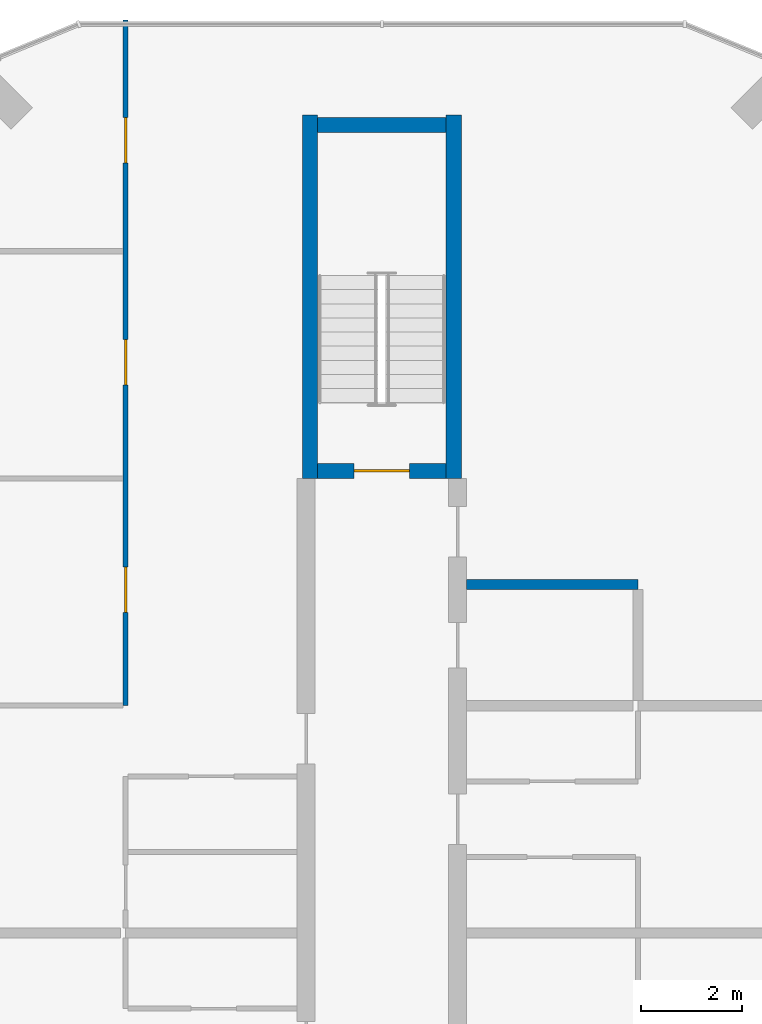
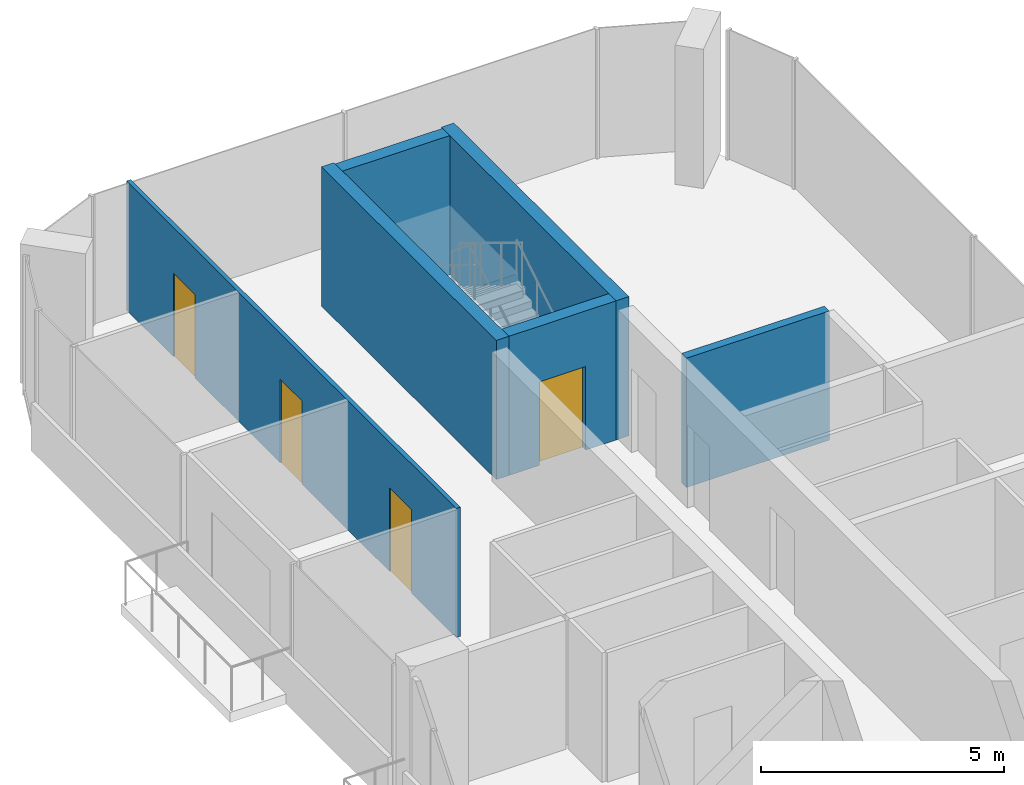
# One storey, part 17 of 23: 6 walls, 4 doors, 4 openings.
"""IFC4 building model written with IfcOpenShell, lengths in metres."""

import ifcopenshell
import ifcopenshell.guid

model = None  # the IFC model being written
_history = None  # IfcOwnerHistory: only IFC2X3 demands one
_inside = {}  # id of a spatial element -> (the spatial element, [elements in it])
_under = {}  # id of a project, library or spatial element -> (it, [spatial elements below it])
_declared = {}  # id of a project -> (the project, [libraries it declares])
_typed = {}  # id of a type object -> (the type object, [elements of that type])
_made_of = {}  # id of a material, layer set ... -> (it, [elements and type objects made of it])


def new_model(schema):
    """Start an empty IFC model of exactly this schema.

    Asked for "IFC4X3", IfcOpenShell would pick the latest addendum, in which some entities
    have other attributes; the version numbers below select the first issue.
    IFC2X3 requires an IfcOwnerHistory on every rooted entity: one is made here for all.
    """
    global model, _history
    if schema == "IFC4X3":
        model = ifcopenshell.file(schema_version=(4, 3, 0, 0))
    else:
        model = ifcopenshell.file(schema=schema)
    _inside.clear()
    _under.clear()
    _declared.clear()
    _typed.clear()
    _made_of.clear()
    _history = None
    if model.schema == "IFC2X3":
        org = make("IfcOrganization", Name="unknown")
        user = make(
            "IfcPersonAndOrganization",
            ThePerson=make("IfcPerson", FamilyName="unknown"),
            TheOrganization=org,
        )
        app = make(
            "IfcApplication",
            ApplicationDeveloper=org,
            Version="unknown",
            ApplicationFullName="unknown",
            ApplicationIdentifier="unknown",
        )
        _history = make(
            "IfcOwnerHistory",
            OwningUser=user,
            OwningApplication=app,
            ChangeAction="ADDED",
            CreationDate=0,
        )
    return model


def make(cls, **values):
    """One entity of the class cls with the attributes given. An attribute that is None is left unset."""
    return model.create_entity(
        cls, **{name: value for name, value in values.items() if value is not None}
    )


def rooted(cls, **values):
    """An entity with a GlobalId (a new one), such as an element, a storey or a relation."""
    return make(cls, GlobalId=ifcopenshell.guid.new(), OwnerHistory=_history, **values)


def si_unit(unit_type, name, prefix=None):
    """IfcSIUnit, for example si_unit("LENGTHUNIT", "METRE", prefix="MILLI")."""
    return make("IfcSIUnit", UnitType=unit_type, Prefix=prefix, Name=name)


def assignment(units):
    """IfcUnitAssignment: the units of a project."""
    return None if units is None else make("IfcUnitAssignment", Units=units)


def point(xyz):
    """IfcCartesianPoint."""
    return None if xyz is None else make("IfcCartesianPoint", Coordinates=xyz)


def direction(xyz):
    """IfcDirection."""
    return None if xyz is None else make("IfcDirection", DirectionRatios=xyz)


def frame(location, z_axis=None, x_axis=None):
    """IfcAxis2Placement3D, a coordinate frame: its origin and axes. An axis left out is left unset."""
    return make(
        "IfcAxis2Placement3D",
        Location=point(location),
        Axis=direction(z_axis),
        RefDirection=direction(x_axis),
    )


def frame_2d(location, x_axis=None):
    """IfcAxis2Placement2D, a coordinate frame in the plane: its origin and x axis."""
    return make(
        "IfcAxis2Placement2D", Location=point(location), RefDirection=direction(x_axis)
    )


def origin():
    """The frame at (0, 0, 0) with its axes left unset."""
    return frame((0.0, 0.0, 0.0))


def place(relative_to, where):
    """IfcLocalPlacement: puts the frame where relative to a parent placement (None: the world)."""
    return make(
        "IfcLocalPlacement", PlacementRelTo=relative_to, RelativePlacement=where
    )


def context(
    kind, dimensions, precision=None, world=None, true_north=None, identifier=None
):
    """IfcGeometricRepresentationContext, for example the 3D "Model" context."""
    return make(
        "IfcGeometricRepresentationContext",
        ContextIdentifier=identifier,
        ContextType=kind,
        CoordinateSpaceDimension=dimensions,
        Precision=precision,
        WorldCoordinateSystem=world,
        TrueNorth=true_north,
    )


def subcontext(parent, identifier, kind, view, scale=None):
    """IfcGeometricRepresentationSubContext, for example "Body" below "Model"."""
    return make(
        "IfcGeometricRepresentationSubContext",
        ContextIdentifier=identifier,
        ContextType=kind,
        ParentContext=parent,
        TargetScale=scale,
        TargetView=view,
    )


def project(units=None, contexts=None):
    """IfcProject with its units and contexts."""
    return rooted(
        "IfcProject",
        Name="project",
        RepresentationContexts=contexts,
        UnitsInContext=assignment(units),
    )


def spatial(cls, under=None, at=None, **own):
    """A site, building, storey or space (cls), placed at a placement, below another one or the project."""
    s = rooted(cls, ObjectPlacement=at, **own)
    if under is not None:
        _under.setdefault(under.id(), (under, []))[1].append(s)
    return s


def profile(cls, at=None, kind="AREA", **sizes):
    """A parametric profile (cls). Its sizes go by their IFC names, for example OverallWidth=200.0."""
    return make(cls, ProfileType=kind, Position=at, **sizes)


def rectangle(**sizes):
    """IfcRectangleProfileDef."""
    return profile("IfcRectangleProfileDef", **sizes)


def extrude(swept, where, along, depth):
    """IfcExtrudedAreaSolid: the profile swept, set in the frame where, extruded along a direction by depth."""
    return make(
        "IfcExtrudedAreaSolid",
        SweptArea=swept,
        Position=where,
        ExtrudedDirection=direction(along),
        Depth=depth,
    )


def shape(context_of_items, identifier, shape_type, items):
    """IfcShapeRepresentation: the items that make up one representation, for example the "Body"."""
    return make(
        "IfcShapeRepresentation",
        ContextOfItems=context_of_items,
        RepresentationIdentifier=identifier,
        RepresentationType=shape_type,
        Items=items,
    )


def material(Name=None, Category=None):
    """IfcMaterial."""
    return make("IfcMaterial", Name=Name, Category=Category)


def layer(
    of_material, thickness, ventilated=None, Name=None, Category=None, Priority=None
):
    """IfcMaterialLayer: one layer of a wall or slab, of a material (None: an air gap)."""
    return make(
        "IfcMaterialLayer",
        Material=of_material,
        LayerThickness=thickness,
        IsVentilated=ventilated,
        Name=Name,
        Category=Category,
        Priority=Priority,
    )


def layer_set(layers, Name=None):
    """IfcMaterialLayerSet."""
    return make("IfcMaterialLayerSet", MaterialLayers=layers, LayerSetName=Name)


def made_of(thing, what):
    """Note that an element or type object is made of a material, layer set ...; save() writes the relation."""
    if what is not None:
        _made_of.setdefault(what.id(), (what, []))[1].append(thing)
    return thing


def type_object(cls, material=None, **own):
    """A type object (cls), such as IfcWallType, which elements share."""
    return made_of(rooted(cls, **own), material)


def element(
    cls,
    number,
    at=None,
    inside=None,
    cuts=None,
    type_object=None,
    material=None,
    context=None,
    identifier="Body",
    shape_type=None,
    held_by="IfcProductDefinitionShape",
    body=None,
    shapes=None,
    **own,
):
    """One element of the class cls, such as IfcWall. Its Tag is "e" and its number.

    at: its placement. inside: the storey or other place that contains it. cuts: it is an
    opening in that element (IfcRelVoidsElement). A single representation is given by context,
    identifier, shape_type and body (its items); several are given by shapes. held_by: the class
    of the entity that holds the representations. save() writes the other relations.
    """
    e = rooted(cls, Tag="e%d" % number, ObjectPlacement=at, **own)
    if body is not None:
        shapes = [shape(context, identifier, shape_type, body)]
    if shapes is not None:
        e.Representation = make(held_by, Representations=shapes)
    if inside is not None:
        _inside.setdefault(inside.id(), (inside, []))[1].append(e)
    if cuts is not None:
        rooted(
            "IfcRelVoidsElement", RelatingBuildingElement=cuts, RelatedOpeningElement=e
        )
    if type_object is not None:
        _typed.setdefault(type_object.id(), (type_object, []))[1].append(e)
    return made_of(e, material)


def fill(opening, filler):
    """IfcRelFillsElement: the door or window that sits in an opening."""
    return rooted(
        "IfcRelFillsElement",
        RelatingOpeningElement=opening,
        RelatedBuildingElement=filler,
    )


def aggregate(whole, parts):
    """IfcRelAggregates: a whole, such as a stair, and the parts it consists of."""
    return rooted("IfcRelAggregates", RelatingObject=whole, RelatedObjects=parts)


def save(model, path):
    """Write the relations noted so far, then the file.

    IfcRelAggregates (storeys below a building ...), IfcRelContainedInSpatialStructure (elements
    in a storey), IfcRelDefinesByType, IfcRelAssociatesMaterial and IfcRelDeclares: one each for
    every whole, place, type object, material and project.
    """
    for whole, parts in _under.values():
        aggregate(whole, parts)
    for where, things in _inside.values():
        rooted(
            "IfcRelContainedInSpatialStructure",
            RelatedElements=things,
            RelatingStructure=where,
        )
    for kind, things in _typed.values():
        rooted("IfcRelDefinesByType", RelatedObjects=things, RelatingType=kind)
    for what, things in _made_of.values():
        rooted("IfcRelAssociatesMaterial", RelatedObjects=things, RelatingMaterial=what)
    for by, libraries in _declared.values():
        rooted("IfcRelDeclares", RelatingContext=by, RelatedDefinitions=libraries)
    model.write(path)


model = new_model("IFC4")

# Units and contexts
model_context = context("Model", 3, precision=1e-05, world=origin(), true_north=direction((0.0, 1.0)))
body_context = subcontext(model_context, "Body", "Model", "MODEL_VIEW")
ifc_project = project(units=[si_unit("LENGTHUNIT", "METRE"), si_unit("AREAUNIT", "SQUARE_METRE"), si_unit("VOLUMEUNIT", "CUBIC_METRE"), si_unit("PLANEANGLEUNIT", "RADIAN"), si_unit("MASSUNIT", "GRAM", prefix="KILO")], contexts=[model_context])

# Site, building, storey
site_placement = place(None, origin())
site = spatial("IfcSite", under=ifc_project, at=site_placement, CompositionType="ELEMENT")
building_placement = place(site_placement, origin())
building = spatial("IfcBuilding", under=site, at=building_placement, Name="Plateau Cross Towers", CompositionType="ELEMENT")
storey_placement = place(building_placement, frame((0.0, 0.0, 37.300048828125)))
storey = spatial("IfcBuildingStorey", under=building, at=storey_placement, Name="L08", CompositionType="ELEMENT", Elevation=37.300048828125)

# Wall, openings, doors
ifc_material_1 = material(Name="Gypsum board on steel studs", Category="steel")
ifc_layer_1 = layer(ifc_material_1, 0.10009765625)
ifc_layer_set_1 = layer_set([ifc_layer_1], Name="Gypsum board on steel studs")
wall_type_1 = type_object("IfcWallType", Name="Flat partition 100", PredefinedType="PARTITIONING", material=ifc_layer_set_1)
wall_1_placement = place(storey_placement, frame((3.925048828125, 40.5, 0.0), z_axis=(0.0, 0.0, 1.0), x_axis=(0.0, 1.0, 0.0)))
wall_1 = element("IfcWall", 1, at=wall_1_placement, inside=storey, type_object=wall_type_1, Name="Partition wall", PredefinedType="PARTITIONING", context=body_context, shape_type="SweptSolid", body=[
    extrude(rectangle(XDim=13.580078125, YDim=0.10009765625, at=frame_2d((6.7900390625, 0.0))), origin(), (0.0, 0.0, 1.0), 3.25),
])
opening_1_placement = place(wall_1_placement, frame((1.85009765625, 0.0, 0.0)))
opening_1 = element("IfcOpeningElement", 2, at=opening_1_placement, cuts=wall_1, Name="Opening 08-41", PredefinedType="OPENING", context=body_context, shape_type="SweptSolid", body=[
    extrude(rectangle(XDim=0.89990234375, YDim=2.10009765625, at=frame_2d((0.449951171875, 1.050048828125))), frame((0.0, 0.06005859375, 0.0), z_axis=(0.0, -1.0, 0.0), x_axis=(1.0, 0.0, 0.0)), (0.0, 0.0, 1.0), 0.1201171875),
])
opening_2_placement = place(wall_1_placement, frame((6.35009765625, 0.0, 0.0)))
opening_2 = element("IfcOpeningElement", 3, at=opening_2_placement, cuts=wall_1, Name="Opening 08-42", PredefinedType="OPENING", context=body_context, shape_type="SweptSolid", body=[
    extrude(rectangle(XDim=0.89990234375, YDim=2.10009765625, at=frame_2d((0.449951171875, 1.050048828125))), frame((0.0, 0.06005859375, 0.0), z_axis=(0.0, -1.0, 0.0), x_axis=(1.0, 0.0, 0.0)), (0.0, 0.0, 1.0), 0.1201171875),
])
opening_3_placement = place(wall_1_placement, frame((10.75, 0.0, 0.0)))
opening_3 = element("IfcOpeningElement", 4, at=opening_3_placement, cuts=wall_1, Name="Opening 08-43", PredefinedType="OPENING", context=body_context, shape_type="SweptSolid", body=[
    extrude(rectangle(XDim=0.89990234375, YDim=2.10009765625, at=frame_2d((0.449951171875, 1.050048828125))), frame((0.0, 0.06005859375, 0.0), z_axis=(0.0, -1.0, 0.0), x_axis=(1.0, 0.0, 0.0)), (0.0, 0.0, 1.0), 0.1201171875),
])
ifc_material_2 = material(Name="Timber leaf", Category="wood")
door_type_1 = type_object("IfcDoorType", Name="Flat room door 900", OperationType="NOTDEFINED", PredefinedType="DOOR", material=ifc_material_2)
door_1_placement = place(opening_1_placement, origin())
door_1 = element("IfcDoor", 5, at=door_1_placement, inside=storey, type_object=door_type_1, Name="Door 08-41", OperationType="SINGLE_SWING_LEFT", OverallHeight=2.10009765625, OverallWidth=0.89990234375, PredefinedType="DOOR", context=body_context, shape_type="SweptSolid", body=[
    extrude(rectangle(XDim=0.89990234375, YDim=2.10009765625, at=frame_2d((0.449951171875, 1.050048828125))), frame((0.0, 0.02490234375, 0.0), z_axis=(0.0, -1.0, 0.0), x_axis=(1.0, 0.0, 0.0)), (0.0, 0.0, 1.0), 0.050048828125),
])
fill(opening_1, door_1)
door_2_placement = place(opening_2_placement, origin())
door_2 = element("IfcDoor", 6, at=door_2_placement, inside=storey, type_object=door_type_1, Name="Door 08-42", OperationType="SINGLE_SWING_RIGHT", OverallHeight=2.10009765625, OverallWidth=0.89990234375, PredefinedType="DOOR", context=body_context, shape_type="SweptSolid", body=[
    extrude(rectangle(XDim=0.89990234375, YDim=2.10009765625, at=frame_2d((0.449951171875, 1.050048828125))), frame((0.0, 0.02490234375, 0.0), z_axis=(0.0, -1.0, 0.0), x_axis=(1.0, 0.0, 0.0)), (0.0, 0.0, 1.0), 0.050048828125),
])
fill(opening_2, door_2)
door_3_placement = place(opening_3_placement, origin())
door_3 = element("IfcDoor", 7, at=door_3_placement, inside=storey, type_object=door_type_1, Name="Door 08-43", OperationType="SINGLE_SWING_RIGHT", OverallHeight=2.10009765625, OverallWidth=0.89990234375, PredefinedType="DOOR", context=body_context, shape_type="SweptSolid", body=[
    extrude(rectangle(XDim=0.89990234375, YDim=2.10009765625, at=frame_2d((0.449951171875, 1.050048828125))), frame((0.0, 0.02490234375, 0.0), z_axis=(0.0, -1.0, 0.0), x_axis=(1.0, 0.0, 0.0)), (0.0, 0.0, 1.0), 0.050048828125),
])
fill(opening_3, door_3)

# Wall
ifc_material_3 = material(Name="Gypsum board on steel studs, two layers each side", Category="steel")
ifc_layer_2 = layer(ifc_material_3, 0.199951171875)
ifc_layer_set_2 = layer_set([ifc_layer_2], Name="Gypsum board on steel studs, two layers each side")
wall_type_2 = type_object("IfcWallType", Name="Flat party wall 200", PredefinedType="PARTITIONING", material=ifc_layer_set_2)
wall_2_placement = place(storey_placement, frame((14.074951171875, 42.89990234375, 0.0), z_axis=(0.0, 0.0, 1.0), x_axis=(-1.0, 0.0, 0.0)))
element("IfcWall", 8, at=wall_2_placement, inside=storey, type_object=wall_type_2, Name="Party wall", PredefinedType="PARTITIONING", context=body_context, shape_type="SweptSolid", body=[
    extrude(rectangle(XDim=3.39990234375, YDim=0.199951171875, at=frame_2d((1.699951171875, 0.0))), origin(), (0.0, 0.0, 1.0), 3.25),
])

# Wall, opening, door
ifc_material_4 = material(Name="Concrete C60/75", Category="concrete")
ifc_layer_3 = layer(ifc_material_4, 0.300048828125)
ifc_layer_set_3 = layer_set([ifc_layer_3], Name="Concrete C60/75")
wall_type_3 = type_object("IfcWallType", Name="Stair tower wall 300", PredefinedType="SHEAR", material=ifc_layer_set_3)
wall_3_placement = place(storey_placement, frame((7.72509765625, 45.14990234375, 0.0), z_axis=(0.0, 0.0, 1.0), x_axis=(1.0, 0.0, 0.0)))
wall_3 = element("IfcWall", 9, at=wall_3_placement, inside=storey, type_object=wall_type_3, Name="A-end-N-S@L08", PredefinedType="SHEAR", context=body_context, shape_type="SweptSolid", body=[
    extrude(rectangle(XDim=2.5498046875, YDim=0.300048828125, at=frame_2d((1.27490234375, 0.0))), origin(), (0.0, 0.0, 1.0), 3.5),
])
opening_4_placement = place(wall_3_placement, frame((0.72509765625, 0.0, 0.0)))
opening_4 = element("IfcOpeningElement", 10, at=opening_4_placement, cuts=wall_3, Name="Opening SD", PredefinedType="OPENING", context=body_context, shape_type="SweptSolid", body=[
    extrude(rectangle(XDim=1.10009765625, YDim=2.10009765625, at=frame_2d((0.550048828125, 1.050048828125))), frame((0.0, 0.159912109375, 0.0), z_axis=(0.0, -1.0, 0.0), x_axis=(1.0, 0.0, 0.0)), (0.0, 0.0, 1.0), 0.320068359375),
])
ifc_material_5 = material(Name="Steel, fire-resisting leaf", Category="steel")
door_type_2 = type_object("IfcDoorType", Name="Stair door 1100", OperationType="NOTDEFINED", PredefinedType="DOOR", material=ifc_material_5)
door_4_placement = place(opening_4_placement, origin())
door_4 = element("IfcDoor", 11, at=door_4_placement, inside=storey, type_object=door_type_2, Name="Stair door SD", OperationType="SINGLE_SWING_LEFT", OverallHeight=2.10009765625, OverallWidth=1.10009765625, PredefinedType="DOOR", context=body_context, shape_type="SweptSolid", body=[
    extrude(rectangle(XDim=1.10009765625, YDim=2.10009765625, at=frame_2d((0.550048828125, 1.050048828125))), frame((0.0, 0.02490234375, 0.0), z_axis=(0.0, -1.0, 0.0), x_axis=(1.0, 0.0, 0.0)), (0.0, 0.0, 1.0), 0.050048828125),
])
fill(opening_4, door_4)

# Walls
wall_4_placement = place(storey_placement, frame((7.72509765625, 52.0, 0.0), z_axis=(0.0, 0.0, 1.0), x_axis=(1.0, 0.0, 0.0)))
element("IfcWall", 12, at=wall_4_placement, inside=storey, type_object=wall_type_3, Name="A-end-N-N@L08", PredefinedType="SHEAR", context=body_context, shape_type="SweptSolid", body=[
    extrude(rectangle(XDim=2.5498046875, YDim=0.300048828125, at=frame_2d((1.27490234375, 0.0))), origin(), (0.0, 0.0, 1.0), 3.5),
])
for number, where, z_axis, x_axis, name in (
    (13, (7.574951171875, 45.0, 0.0), (0.0, 0.0, 1.0), (0.0, 1.0, 0.0), "A-end-N-W@L08"),
    (14, (10.425048828125, 45.0, 0.0), (0.0, 0.0, 1.0), (0.0, 1.0, 0.0), "A-end-N-E@L08"),
):
    element("IfcWall", number, at=place(storey_placement, frame(where, z_axis=z_axis, x_axis=x_axis)), inside=storey, type_object=wall_type_3, Name=name, PredefinedType="SHEAR", context=body_context, shape_type="SweptSolid", body=[
        extrude(rectangle(XDim=7.199951171875, YDim=0.300048828125, at=frame_2d((3.60009765625, 0.0))), origin(), (0.0, 0.0, 1.0), 3.5),
    ])

save(model, "model.ifc")
